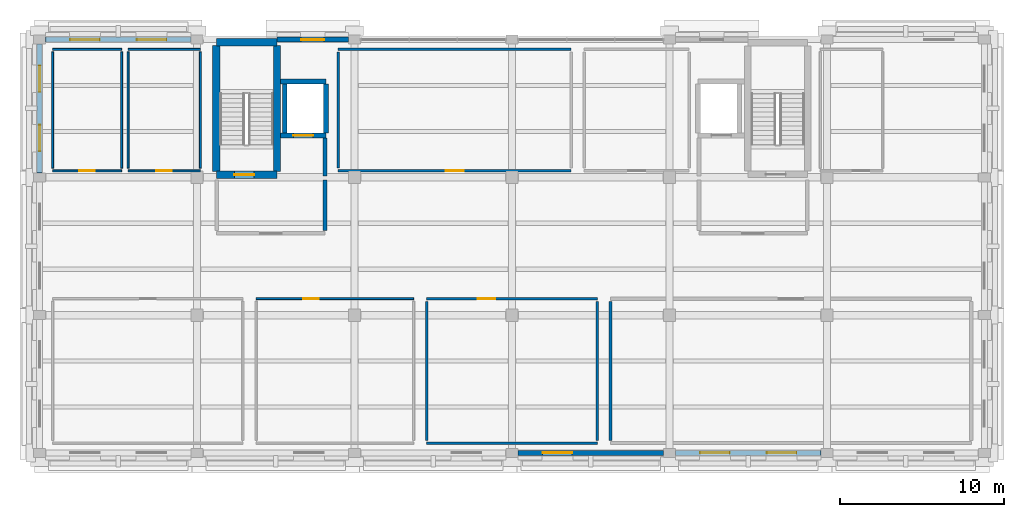
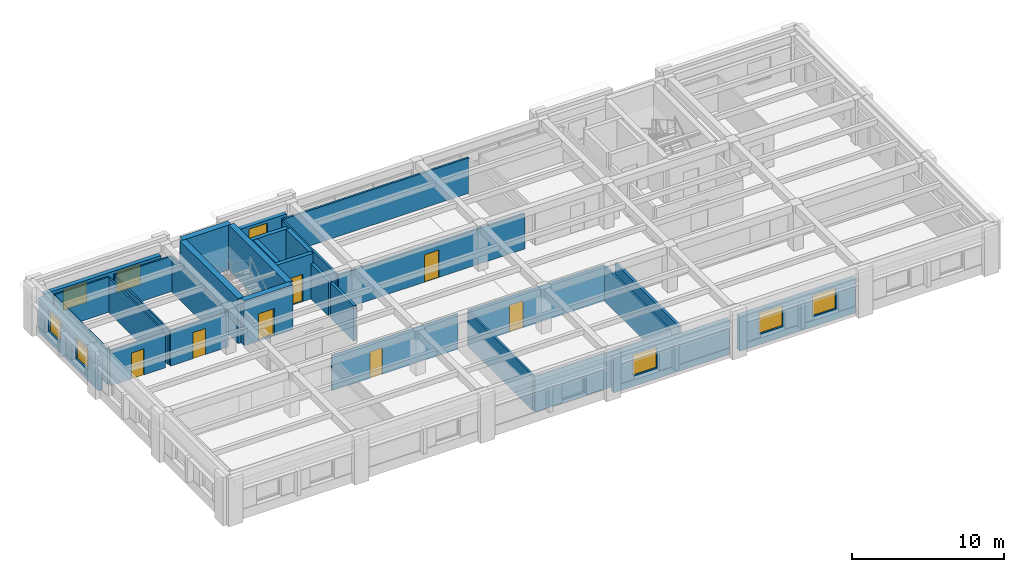
# One storey, part 6 of 12: 32 walls, 8 windows, 7 doors, 15 openings.
"""IFC4 building model written with IfcOpenShell, lengths in metres."""

from ifc_helpers import new_model, si_unit, direction, frame, frame_2d, origin, place, context, subcontext, project, spatial, rectangle, extrude, material, layer, layer_set, type_object, element, fill, save


model = new_model("IFC4")

# Units and contexts
model_context = context("Model", 3, precision=1e-05, world=origin(), true_north=direction((0.0, 1.0)))
body_context = subcontext(model_context, "Body", "Model", "MODEL_VIEW")
ifc_project = project(units=[si_unit("LENGTHUNIT", "METRE"), si_unit("AREAUNIT", "SQUARE_METRE"), si_unit("VOLUMEUNIT", "CUBIC_METRE"), si_unit("PLANEANGLEUNIT", "RADIAN"), si_unit("MASSUNIT", "GRAM", prefix="KILO")], contexts=[model_context])

# Site, building, storey
site_placement = place(None, origin())
site = spatial("IfcSite", under=ifc_project, at=site_placement, CompositionType="ELEMENT")
building_placement = place(site_placement, origin())
building = spatial("IfcBuilding", under=site, at=building_placement, Name="Bempovik Park Faculty of Sciences", CompositionType="ELEMENT")
storey_placement = place(building_placement, frame((0.0, 0.0, 34.5)))
storey = spatial("IfcBuildingStorey", under=building, at=storey_placement, Name="L08", CompositionType="ELEMENT", Elevation=34.5)

# Wall, opening, door
ifc_material_1 = material(Name="Concrete C40/50", Category="concrete")
ifc_layer_1 = layer(ifc_material_1, 0.449951171875)
ifc_layer_set_1 = layer_set([ifc_layer_1], Name="Concrete C40/50")
wall_type_1 = type_object("IfcWallType", Name="W-15 Wall 450mm", PredefinedType="SHEAR", material=ifc_layer_set_1)
wall_1_placement = place(storey_placement, frame((70.77490234375, 111.14990234375, 0.0), z_axis=(0.0, 0.0, 1.0), x_axis=(1.0, 0.0, 0.0)))
wall_1 = element("IfcWall", 1, at=wall_1_placement, inside=storey, type_object=wall_type_1, Name="ST-1 L08 Core Shear Wall South", PredefinedType="SHEAR", context=body_context, shape_type="SweptSolid", body=[
    extrude(rectangle(XDim=3.7001953125, YDim=0.449951171875, at=frame_2d((1.85009765625, 0.0))), origin(), (0.0, 0.0, 1.0), 3.6201171875),
])
opening_1_placement = place(wall_1_placement, frame((1.10009765625, 0.0, 0.0)))
opening_1 = element("IfcOpeningElement", 2, at=opening_1_placement, cuts=wall_1, Name="Opening D-49", PredefinedType="OPENING", context=body_context, shape_type="SweptSolid", body=[
    extrude(rectangle(XDim=1.199951171875, YDim=2.199951171875, at=frame_2d((0.60009765625, 1.10009765625))), frame((0.0, 0.23486328125, 0.0), z_axis=(0.0, -1.0, 0.0), x_axis=(1.0, 0.0, 0.0)), (0.0, 0.0, 1.0), 0.469970703125),
])
ifc_material_2 = material(Name="Painted steel S355", Category="steel")
door_type_1 = type_object("IfcDoorType", Name="D-49 Door 1200x2200", OperationType="NOTDEFINED", PredefinedType="DOOR", material=ifc_material_2)
door_1_placement = place(opening_1_placement, origin())
door_1 = element("IfcDoor", 3, at=door_1_placement, inside=storey, type_object=door_type_1, Name="ST-1 L08 Protected Stair Smoke Door", OperationType="SINGLE_SWING_RIGHT", OverallHeight=2.199951171875, OverallWidth=1.199951171875, PredefinedType="DOOR", context=body_context, shape_type="SweptSolid", body=[
    extrude(rectangle(XDim=1.199951171875, YDim=2.199951171875, at=frame_2d((0.60009765625, 1.10009765625))), frame((0.0, 0.02490234375, 0.0), z_axis=(0.0, -1.0, 0.0), x_axis=(1.0, 0.0, 0.0)), (0.0, 0.0, 1.0), 0.050048828125),
])
fill(opening_1, door_1)

# Walls
for number, where, z_axis, x_axis, name in (
    (4, (70.77490234375, 111.35009765625, 0.0), (0.0, 0.0, 1.0), (0.0, 1.0, 0.0), "ST-1 L08 Core Shear Wall West"),
    (5, (74.47509765625, 111.35009765625, 0.0), (0.0, 0.0, 1.0), (0.0, 1.0, 0.0), "ST-1 L08 Core Shear Wall East"),
):
    element("IfcWall", number, at=place(storey_placement, frame(where, z_axis=z_axis, x_axis=x_axis)), inside=storey, type_object=wall_type_1, Name=name, PredefinedType="SHEAR", context=body_context, shape_type="SweptSolid", body=[
        extrude(rectangle(XDim=7.6748046875, YDim=0.449951171875, at=frame_2d((3.83740234375, 0.0))), origin(), (0.0, 0.0, 1.0), 3.6201171875),
    ])
wall_2_placement = place(storey_placement, frame((70.77490234375, 119.22509765625, 0.0), z_axis=(0.0, 0.0, 1.0), x_axis=(1.0, 0.0, 0.0)))
element("IfcWall", 6, at=wall_2_placement, inside=storey, type_object=wall_type_1, Name="ST-1 L08 Core Shear Wall North", PredefinedType="SHEAR", context=body_context, shape_type="SweptSolid", body=[
    extrude(rectangle(XDim=3.7001953125, YDim=0.449951171875, at=frame_2d((1.85009765625, 0.0))), origin(), (0.0, 0.0, 1.0), 3.6201171875),
])

# Wall, opening, door
ifc_material_3 = material(Name="Gypsum acoustic stud assembly")
ifc_layer_2 = layer(ifc_material_3, 0.1201171875)
ifc_layer_set_2 = layer_set([ifc_layer_2], Name="Gypsum acoustic stud assembly")
wall_type_2 = type_object("IfcWallType", Name="W-17 Wall 120mm", PredefinedType="PARTITIONING", material=ifc_layer_set_2)
wall_3_placement = place(storey_placement, frame((73.199951171875, 103.60009765625, 0.0), z_axis=(0.0, 0.0, 1.0), x_axis=(1.0, 0.0, 0.0)))
wall_3 = element("IfcWall", 7, at=wall_3_placement, inside=storey, type_object=wall_type_2, Name="L08 Hydrology Academic Staff Offices Partition North", PredefinedType="PARTITIONING", context=body_context, shape_type="SweptSolid", body=[
    extrude(rectangle(XDim=9.60009765625, YDim=0.1201171875, at=frame_2d((4.800048828125, 0.0))), origin(), (0.0, 0.0, 1.0), 2.85009765625),
])
opening_2_placement = place(wall_3_placement, frame((2.885009765625, 0.0, 0.0)))
opening_2 = element("IfcOpeningElement", 8, at=opening_2_placement, cuts=wall_3, Name="Opening D-47", PredefinedType="OPENING", context=body_context, shape_type="SweptSolid", body=[
    extrude(rectangle(XDim=0.949951171875, YDim=2.14990234375, at=frame_2d((0.47509765625, 1.074951171875))), frame((0.0, 0.070068359375, 0.0), z_axis=(0.0, -1.0, 0.0), x_axis=(1.0, 0.0, 0.0)), (0.0, 0.0, 1.0), 0.14013671875),
])
ifc_material_4 = material(Name="West African hardwood finish", Category="wood")
door_type_2 = type_object("IfcDoorType", Name="D-47 Door 950x2150", OperationType="NOTDEFINED", PredefinedType="DOOR", material=ifc_material_4)
door_2_placement = place(opening_2_placement, origin())
door_2 = element("IfcDoor", 9, at=door_2_placement, inside=storey, type_object=door_type_2, Name="L08 Hydrology Academic Staff Offices Door", OperationType="SINGLE_SWING_RIGHT", OverallHeight=2.14990234375, OverallWidth=0.949951171875, PredefinedType="DOOR", context=body_context, shape_type="SweptSolid", body=[
    extrude(rectangle(XDim=0.949951171875, YDim=2.14990234375, at=frame_2d((0.47509765625, 1.074951171875))), frame((0.0, 0.02490234375, 0.0), z_axis=(0.0, -1.0, 0.0), x_axis=(1.0, 0.0, 0.0)), (0.0, 0.0, 1.0), 0.050048828125),
])
fill(opening_2, door_2)

wall_4_placement = place(storey_placement, frame((60.800048828125, 111.39990234375, 0.0), z_axis=(0.0, 0.0, 1.0), x_axis=(1.0, 0.0, 0.0)))
wall_4 = element("IfcWall", 10, at=wall_4_placement, inside=storey, type_object=wall_type_2, Name="L08 L08 Male WC Partition South", PredefinedType="PARTITIONING", context=body_context, shape_type="SweptSolid", body=[
    extrude(rectangle(XDim=4.199951171875, YDim=0.1201171875, at=frame_2d((2.10009765625, 0.0))), origin(), (0.0, 0.0, 1.0), 2.85009765625),
])
opening_3_placement = place(wall_4_placement, frame((1.625, 0.0, 0.0)))
opening_3 = element("IfcOpeningElement", 11, at=opening_3_placement, cuts=wall_4, Name="Opening D-56", PredefinedType="OPENING", context=body_context, shape_type="SweptSolid", body=[
    extrude(rectangle(XDim=0.949951171875, YDim=2.10009765625, at=frame_2d((0.47509765625, 1.050048828125))), frame((0.0, 0.070068359375, 0.0), z_axis=(0.0, -1.0, 0.0), x_axis=(1.0, 0.0, 0.0)), (0.0, 0.0, 1.0), 0.14013671875),
])
door_type_3 = type_object("IfcDoorType", Name="D-56 Door 950x2100", OperationType="NOTDEFINED", PredefinedType="DOOR", material=ifc_material_4)
door_3_placement = place(opening_3_placement, origin())
door_3 = element("IfcDoor", 12, at=door_3_placement, inside=storey, type_object=door_type_3, Name="L08 L08 Male WC Door", OperationType="SINGLE_SWING_LEFT", OverallHeight=2.10009765625, OverallWidth=0.949951171875, PredefinedType="DOOR", context=body_context, shape_type="SweptSolid", body=[
    extrude(rectangle(XDim=0.949951171875, YDim=2.10009765625, at=frame_2d((0.47509765625, 1.050048828125))), frame((0.0, 0.02490234375, 0.0), z_axis=(0.0, -1.0, 0.0), x_axis=(1.0, 0.0, 0.0)), (0.0, 0.0, 1.0), 0.050048828125),
])
fill(opening_3, door_3)

# Walls
wall_5_placement = place(storey_placement, frame((60.800048828125, 118.800048828125, 0.0), z_axis=(0.0, 0.0, 1.0), x_axis=(1.0, 0.0, 0.0)))
element("IfcWall", 13, at=wall_5_placement, inside=storey, type_object=wall_type_2, Name="L08 L08 Male WC Partition North", PredefinedType="PARTITIONING", context=body_context, shape_type="SweptSolid", body=[
    extrude(rectangle(XDim=4.199951171875, YDim=0.1201171875, at=frame_2d((2.10009765625, 0.0))), origin(), (0.0, 0.0, 1.0), 2.85009765625),
])
for number, where, z_axis, x_axis, name in (
    (14, (60.800048828125, 111.56005859375, 0.0), (0.0, 0.0, 1.0), (0.0, 1.0, 0.0), "L08 L08 Male WC Partition West"),
    (15, (65.0, 111.56005859375, 0.0), (0.0, 0.0, 1.0), (0.0, 1.0, 0.0), "L08 L08 Male WC Partition East"),
):
    element("IfcWall", number, at=place(storey_placement, frame(where, z_axis=z_axis, x_axis=x_axis)), inside=storey, type_object=wall_type_2, Name=name, PredefinedType="PARTITIONING", context=body_context, shape_type="SweptSolid", body=[
        extrude(rectangle(XDim=7.079833984375, YDim=0.1201171875, at=frame_2d((3.5400390625, 0.0))), origin(), (0.0, 0.0, 1.0), 2.85009765625),
    ])

# Wall, opening, door
wall_6_placement = place(storey_placement, frame((65.39990234375, 111.39990234375, 0.0), z_axis=(0.0, 0.0, 1.0), x_axis=(1.0, 0.0, 0.0)))
wall_6 = element("IfcWall", 16, at=wall_6_placement, inside=storey, type_object=wall_type_2, Name="L08 L08 Female WC Partition South", PredefinedType="PARTITIONING", context=body_context, shape_type="SweptSolid", body=[
    extrude(rectangle(XDim=4.400146484375, YDim=0.1201171875, at=frame_2d((2.2001953125, 0.0))), origin(), (0.0, 0.0, 1.0), 2.85009765625),
])
opening_4_placement = place(wall_6_placement, frame((1.72509765625, 0.0, 0.0)))
opening_4 = element("IfcOpeningElement", 17, at=opening_4_placement, cuts=wall_6, Name="Opening D-56", PredefinedType="OPENING", context=body_context, shape_type="SweptSolid", body=[
    extrude(rectangle(XDim=0.949951171875, YDim=2.10009765625, at=frame_2d((0.47509765625, 1.050048828125))), frame((0.0, 0.070068359375, 0.0), z_axis=(0.0, -1.0, 0.0), x_axis=(1.0, 0.0, 0.0)), (0.0, 0.0, 1.0), 0.14013671875),
])
door_4_placement = place(opening_4_placement, origin())
door_4 = element("IfcDoor", 18, at=door_4_placement, inside=storey, type_object=door_type_3, Name="L08 L08 Female WC Door", OperationType="SINGLE_SWING_RIGHT", OverallHeight=2.10009765625, OverallWidth=0.949951171875, PredefinedType="DOOR", context=body_context, shape_type="SweptSolid", body=[
    extrude(rectangle(XDim=0.949951171875, YDim=2.10009765625, at=frame_2d((0.47509765625, 1.050048828125))), frame((0.0, 0.02490234375, 0.0), z_axis=(0.0, -1.0, 0.0), x_axis=(1.0, 0.0, 0.0)), (0.0, 0.0, 1.0), 0.050048828125),
])
fill(opening_4, door_4)

# Walls
wall_7_placement = place(storey_placement, frame((65.39990234375, 118.800048828125, 0.0), z_axis=(0.0, 0.0, 1.0), x_axis=(1.0, 0.0, 0.0)))
element("IfcWall", 19, at=wall_7_placement, inside=storey, type_object=wall_type_2, Name="L08 L08 Female WC Partition North", PredefinedType="PARTITIONING", context=body_context, shape_type="SweptSolid", body=[
    extrude(rectangle(XDim=4.400146484375, YDim=0.1201171875, at=frame_2d((2.2001953125, 0.0))), origin(), (0.0, 0.0, 1.0), 2.85009765625),
])
for number, where, z_axis, x_axis, name in (
    (20, (65.39990234375, 111.56005859375, 0.0), (0.0, 0.0, 1.0), (0.0, 1.0, 0.0), "L08 L08 Female WC Partition West"),
    (21, (69.800048828125, 111.56005859375, 0.0), (0.0, 0.0, 1.0), (0.0, 1.0, 0.0), "L08 L08 Female WC Partition East"),
):
    element("IfcWall", number, at=place(storey_placement, frame(where, z_axis=z_axis, x_axis=x_axis)), inside=storey, type_object=wall_type_2, Name=name, PredefinedType="PARTITIONING", context=body_context, shape_type="SweptSolid", body=[
        extrude(rectangle(XDim=7.079833984375, YDim=0.1201171875, at=frame_2d((3.5400390625, 0.0))), origin(), (0.0, 0.0, 1.0), 2.85009765625),
    ])

# Wall, opening, door
ifc_layer_3 = layer(ifc_material_1, 0.300048828125)
ifc_layer_set_3 = layer_set([ifc_layer_3], Name="Concrete C40/50")
wall_type_3 = type_object("IfcWallType", Name="W-31 Wall 300mm", PredefinedType="SHEAR", material=ifc_layer_set_3)
wall_8_placement = place(storey_placement, frame((74.699951171875, 113.550048828125, 0.0), z_axis=(0.0, 0.0, 1.0), x_axis=(1.0, 0.0, 0.0)))
wall_8 = element("IfcWall", 22, at=wall_8_placement, inside=storey, type_object=wall_type_3, Name="Lift LF-1 L08 Shaft Wall South", PredefinedType="SHEAR", context=body_context, shape_type="SweptSolid", body=[
    extrude(rectangle(XDim=2.75, YDim=0.300048828125, at=frame_2d((1.375, 0.0))), origin(), (0.0, 0.0, 1.0), 3.6201171875),
])
opening_5_placement = place(wall_8_placement, frame((0.77490234375, 0.0, 0.0)))
opening_5 = element("IfcOpeningElement", 23, at=opening_5_placement, cuts=wall_8, Name="Opening LD-01", PredefinedType="OPENING", context=body_context, shape_type="SweptSolid", body=[
    extrude(rectangle(XDim=1.199951171875, YDim=2.199951171875, at=frame_2d((0.60009765625, 1.10009765625))), frame((0.0, 0.16015625, 0.0), z_axis=(0.0, -1.0, 0.0), x_axis=(1.0, 0.0, 0.0)), (0.0, 0.0, 1.0), 0.320068359375),
])
door_type_4 = type_object("IfcDoorType", Name="LD-01 Door 1200x2200", OperationType="NOTDEFINED", PredefinedType="DOOR", material=ifc_material_2)
door_5_placement = place(opening_5_placement, origin())
door_5 = element("IfcDoor", 24, at=door_5_placement, inside=storey, type_object=door_type_4, Name="Lift LF-1 L08 Sliding Landing Door", OperationType="SLIDING_TO_LEFT", OverallHeight=2.199951171875, OverallWidth=1.199951171875, PredefinedType="DOOR", context=body_context, shape_type="SweptSolid", body=[
    extrude(rectangle(XDim=1.199951171875, YDim=2.199951171875, at=frame_2d((0.60009765625, 1.10009765625))), frame((0.0, 0.02490234375, 0.0), z_axis=(0.0, -1.0, 0.0), x_axis=(1.0, 0.0, 0.0)), (0.0, 0.0, 1.0), 0.050048828125),
])
fill(opening_5, door_5)

# Walls
wall_9_placement = place(storey_placement, frame((74.699951171875, 116.85009765625, 0.0), z_axis=(0.0, 0.0, 1.0), x_axis=(1.0, 0.0, 0.0)))
element("IfcWall", 25, at=wall_9_placement, inside=storey, type_object=wall_type_3, Name="Lift LF-1 L08 Shaft Wall North", PredefinedType="SHEAR", context=body_context, shape_type="SweptSolid", body=[
    extrude(rectangle(XDim=2.75, YDim=0.300048828125, at=frame_2d((1.375, 0.0))), origin(), (0.0, 0.0, 1.0), 3.6201171875),
])
for number, where, z_axis, x_axis, name in (
    (26, (74.949951171875, 113.699951171875, 0.0), (0.0, 0.0, 1.0), (0.0, 1.0, 0.0), "Lift LF-1 L08 Shaft Wall West"),
    (27, (77.449951171875, 113.699951171875, 0.0), (0.0, 0.0, 1.0), (0.0, 1.0, 0.0), "Lift LF-1 L08 Shaft Wall East"),
):
    element("IfcWall", number, at=place(storey_placement, frame(where, z_axis=z_axis, x_axis=x_axis)), inside=storey, type_object=wall_type_3, Name=name, PredefinedType="SHEAR", context=body_context, shape_type="SweptSolid", body=[
        extrude(rectangle(XDim=3.0, YDim=0.300048828125, at=frame_2d((1.5, 0.0))), origin(), (0.0, 0.0, 1.0), 3.6201171875),
    ])
ifc_material_5 = material(Name="Concrete C35/45", Category="concrete")
ifc_layer_4 = layer(ifc_material_5, 0.219970703125)
ifc_layer_set_4 = layer_set([ifc_layer_4], Name="Concrete C35/45")
wall_type_4 = type_object("IfcWallType", Name="W-38 Wall 220mm", PredefinedType="PARTITIONING", material=ifc_layer_set_4)
wall_10_placement = place(storey_placement, frame((77.39990234375, 111.080078125, 0.0), z_axis=(0.0, 0.0, 1.0), x_axis=(0.0, 1.0, 0.0)))
element("IfcWall", 28, at=wall_10_placement, inside=storey, type_object=wall_type_4, Name="L08 Firefighting Lobby West Lift Link Wall", PredefinedType="PARTITIONING", context=body_context, shape_type="SweptSolid", body=[
    extrude(rectangle(XDim=2.31982421875, YDim=0.219970703125, at=frame_2d((1.159912109375, 0.0))), origin(), (0.0, 0.0, 1.0), 2.85009765625),
])
wall_11_placement = place(storey_placement, frame((77.39990234375, 107.760009765625, 0.0), z_axis=(0.0, 0.0, 1.0), x_axis=(0.0, 1.0, 0.0)))
element("IfcWall", 29, at=wall_11_placement, inside=storey, type_object=wall_type_4, Name="L08 Firefighting Lift Lobby West Partition East", PredefinedType="PARTITIONING", context=body_context, shape_type="SweptSolid", body=[
    extrude(rectangle(XDim=3.080078125, YDim=0.219970703125, at=frame_2d((1.5400390625, 0.0))), origin(), (0.0, 0.0, 1.0), 2.85009765625),
])
ifc_layer_5 = layer(ifc_material_3, 0.14990234375)
ifc_layer_set_5 = layer_set([ifc_layer_5], Name="Gypsum acoustic stud assembly")
wall_type_5 = type_object("IfcWallType", Name="W-42 Wall 150mm", PredefinedType="PARTITIONING", material=ifc_layer_set_5)
wall_12_placement = place(storey_placement, frame((83.60009765625, 94.800048828125, 0.0), z_axis=(0.0, 0.0, 1.0), x_axis=(1.0, 0.0, 0.0)))
element("IfcWall", 30, at=wall_12_placement, inside=storey, type_object=wall_type_5, Name="L08 West African Seismology Seminar Room Partition South", PredefinedType="PARTITIONING", context=body_context, shape_type="SweptSolid", body=[
    extrude(rectangle(XDim=10.39990234375, YDim=0.14990234375, at=frame_2d((5.199951171875, 0.0))), origin(), (0.0, 0.0, 1.0), 2.85009765625),
])

# Wall, opening, door
wall_13_placement = place(storey_placement, frame((83.60009765625, 103.60009765625, 0.0), z_axis=(0.0, 0.0, 1.0), x_axis=(1.0, 0.0, 0.0)))
wall_13 = element("IfcWall", 31, at=wall_13_placement, inside=storey, type_object=wall_type_5, Name="L08 West African Seismology Seminar Room Partition North", PredefinedType="PARTITIONING", context=body_context, shape_type="SweptSolid", body=[
    extrude(rectangle(XDim=10.39990234375, YDim=0.14990234375, at=frame_2d((5.199951171875, 0.0))), origin(), (0.0, 0.0, 1.0), 2.85009765625),
])
opening_6_placement = place(wall_13_placement, frame((3.114990234375, 0.0, 0.0)))
opening_6 = element("IfcOpeningElement", 32, at=opening_6_placement, cuts=wall_13, Name="Opening D-16", PredefinedType="OPENING", context=body_context, shape_type="SweptSolid", body=[
    extrude(rectangle(XDim=1.050048828125, YDim=2.199951171875, at=frame_2d((0.52490234375, 1.10009765625))), frame((0.0, 0.0849609375, 0.0), z_axis=(0.0, -1.0, 0.0), x_axis=(1.0, 0.0, 0.0)), (0.0, 0.0, 1.0), 0.169921875),
])
door_type_5 = type_object("IfcDoorType", Name="D-16 Door 1050x2200", OperationType="NOTDEFINED", PredefinedType="DOOR", material=ifc_material_4)
door_6_placement = place(opening_6_placement, origin())
door_6 = element("IfcDoor", 33, at=door_6_placement, inside=storey, type_object=door_type_5, Name="L08 West African Seismology Seminar Room Door", OperationType="SINGLE_SWING_LEFT", OverallHeight=2.199951171875, OverallWidth=1.050048828125, PredefinedType="DOOR", context=body_context, shape_type="SweptSolid", body=[
    extrude(rectangle(XDim=1.050048828125, YDim=2.199951171875, at=frame_2d((0.52490234375, 1.10009765625))), frame((0.0, 0.02490234375, 0.0), z_axis=(0.0, -1.0, 0.0), x_axis=(1.0, 0.0, 0.0)), (0.0, 0.0, 1.0), 0.050048828125),
])
fill(opening_6, door_6)

# Walls
for number, where, z_axis, x_axis, name in (
    (34, (83.60009765625, 94.9599609375, 0.0), (0.0, 0.0, 1.0), (0.0, 1.0, 0.0), "L08 West African Seismology Seminar Room Partition West"),
    (35, (94.0, 94.9599609375, 0.0), (0.0, 0.0, 1.0), (0.0, 1.0, 0.0), "L08 West African Seismology Seminar Room Partition East"),
):
    element("IfcWall", number, at=place(storey_placement, frame(where, z_axis=z_axis, x_axis=x_axis)), inside=storey, type_object=wall_type_5, Name=name, PredefinedType="PARTITIONING", context=body_context, shape_type="SweptSolid", body=[
        extrude(rectangle(XDim=8.47998046875, YDim=0.14990234375, at=frame_2d((4.239990234375, 0.0))), origin(), (0.0, 0.0, 1.0), 2.85009765625),
    ])

# Wall, opening, door
wall_14_placement = place(storey_placement, frame((78.199951171875, 111.39990234375, 0.0), z_axis=(0.0, 0.0, 1.0), x_axis=(1.0, 0.0, 0.0)))
wall_14 = element("IfcWall", 36, at=wall_14_placement, inside=storey, type_object=wall_type_5, Name="L08 Seismometer Calibration Workshop Partition South", PredefinedType="PARTITIONING", context=body_context, shape_type="SweptSolid", body=[
    extrude(rectangle(XDim=14.199951171875, YDim=0.14990234375, at=frame_2d((7.10009765625, 0.0))), origin(), (0.0, 0.0, 1.0), 2.85009765625),
])
opening_7_placement = place(wall_14_placement, frame((6.550048828125, 0.0, 0.0)))
opening_7 = element("IfcOpeningElement", 37, at=opening_7_placement, cuts=wall_14, Name="Opening D-65", PredefinedType="OPENING", context=body_context, shape_type="SweptSolid", body=[
    extrude(rectangle(XDim=1.10009765625, YDim=2.199951171875, at=frame_2d((0.550048828125, 1.10009765625))), frame((0.0, 0.0849609375, 0.0), z_axis=(0.0, -1.0, 0.0), x_axis=(1.0, 0.0, 0.0)), (0.0, 0.0, 1.0), 0.169921875),
])
door_type_6 = type_object("IfcDoorType", Name="D-65 Door 1100x2200", OperationType="NOTDEFINED", PredefinedType="DOOR", material=ifc_material_4)
door_7_placement = place(opening_7_placement, origin())
door_7 = element("IfcDoor", 38, at=door_7_placement, inside=storey, type_object=door_type_6, Name="L08 Seismometer Calibration Workshop Door", OperationType="SINGLE_SWING_LEFT", OverallHeight=2.199951171875, OverallWidth=1.10009765625, PredefinedType="DOOR", context=body_context, shape_type="SweptSolid", body=[
    extrude(rectangle(XDim=1.10009765625, YDim=2.199951171875, at=frame_2d((0.550048828125, 1.10009765625))), frame((0.0, 0.02490234375, 0.0), z_axis=(0.0, -1.0, 0.0), x_axis=(1.0, 0.0, 0.0)), (0.0, 0.0, 1.0), 0.050048828125),
])
fill(opening_7, door_7)

# Walls
wall_15_placement = place(storey_placement, frame((78.199951171875, 118.800048828125, 0.0), z_axis=(0.0, 0.0, 1.0), x_axis=(1.0, 0.0, 0.0)))
element("IfcWall", 39, at=wall_15_placement, inside=storey, type_object=wall_type_5, Name="L08 Seismometer Calibration Workshop Partition North", PredefinedType="PARTITIONING", context=body_context, shape_type="SweptSolid", body=[
    extrude(rectangle(XDim=14.199951171875, YDim=0.14990234375, at=frame_2d((7.10009765625, 0.0))), origin(), (0.0, 0.0, 1.0), 2.85009765625),
])
wall_16_placement = place(storey_placement, frame((78.199951171875, 111.56005859375, 0.0), z_axis=(0.0, 0.0, 1.0), x_axis=(0.0, 1.0, 0.0)))
element("IfcWall", 40, at=wall_16_placement, inside=storey, type_object=wall_type_5, Name="L08 Seismometer Calibration Workshop Partition West", PredefinedType="PARTITIONING", context=body_context, shape_type="SweptSolid", body=[
    extrude(rectangle(XDim=7.079833984375, YDim=0.14990234375, at=frame_2d((3.5400390625, 0.0))), origin(), (0.0, 0.0, 1.0), 2.85009765625),
])

# Wall, openings, windows
ifc_material_6 = material(Name="Precast concrete C40/50", Category="concrete")
ifc_layer_6 = layer(ifc_material_6, 0.320068359375)
ifc_layer_set_6 = layer_set([ifc_layer_6], Name="Precast concrete C40/50")
wall_type_6 = type_object("IfcWallType", Name="W-56 Wall 320mm", PredefinedType="SOLIDWALL", material=ifc_layer_set_6)
wall_17_placement = place(storey_placement, frame((60.376953125, 119.39990234375, 0.0), z_axis=(0.0, 0.0, 1.0), x_axis=(1.0, 0.0, 0.0)))
wall_17 = element("IfcWall", 41, at=wall_17_placement, inside=storey, type_object=wall_type_6, Name="L08 Classical Precast Facade Wall EW-L08-10812", PredefinedType="SOLIDWALL", context=body_context, shape_type="SweptSolid", body=[
    extrude(rectangle(XDim=8.845947265625, YDim=0.320068359375, at=frame_2d((4.4228515625, 0.0))), origin(), (0.0, 0.0, 1.0), 2.780029296875),
])
opening_8_placement = place(wall_17_placement, frame((1.48828125, 0.0, 0.85009765625)))
opening_8 = element("IfcOpeningElement", 42, at=opening_8_placement, cuts=wall_17, Name="Opening WN-94", PredefinedType="OPENING", context=body_context, shape_type="SweptSolid", body=[
    extrude(rectangle(XDim=1.800048828125, YDim=1.699951171875, at=frame_2d((0.89990234375, 0.85009765625))), frame((0.0, 0.169921875, 0.0), z_axis=(0.0, -1.0, 0.0), x_axis=(1.0, 0.0, 0.0)), (0.0, 0.0, 1.0), 0.340087890625),
])
opening_9_placement = place(wall_17_placement, frame((5.5576171875, 0.0, 0.85009765625)))
opening_9 = element("IfcOpeningElement", 43, at=opening_9_placement, cuts=wall_17, Name="Opening WN-94", PredefinedType="OPENING", context=body_context, shape_type="SweptSolid", body=[
    extrude(rectangle(XDim=1.800048828125, YDim=1.699951171875, at=frame_2d((0.89990234375, 0.85009765625))), frame((0.0, 0.169921875, 0.0), z_axis=(0.0, -1.0, 0.0), x_axis=(1.0, 0.0, 0.0)), (0.0, 0.0, 1.0), 0.340087890625),
])
ifc_material_7 = material(Name="Tempered laminated low-E glass", Category="glass")
window_type_1 = type_object("IfcWindowType", Name="WN-94 Window 1800x1700", PartitioningType="SINGLE_PANEL", PredefinedType="WINDOW", material=ifc_material_7)
window_1_placement = place(opening_8_placement, origin())
window_1 = element("IfcWindow", 44, at=window_1_placement, inside=storey, type_object=window_type_1, Name="L08 Window EW-L08-10812-1", OverallHeight=1.699951171875, OverallWidth=1.800048828125, PartitioningType="SINGLE_PANEL", PredefinedType="WINDOW", context=body_context, shape_type="SweptSolid", body=[
    extrude(rectangle(XDim=1.800048828125, YDim=1.699951171875, at=frame_2d((0.89990234375, 0.85009765625))), frame((0.0, 0.030029296875, 0.0), z_axis=(0.0, -1.0, 0.0), x_axis=(1.0, 0.0, 0.0)), (0.0, 0.0, 1.0), 0.06005859375),
])
fill(opening_8, window_1)
window_2_placement = place(opening_9_placement, origin())
window_2 = element("IfcWindow", 45, at=window_2_placement, inside=storey, type_object=window_type_1, Name="L08 Window EW-L08-10812-2", OverallHeight=1.699951171875, OverallWidth=1.800048828125, PartitioningType="SINGLE_PANEL", PredefinedType="WINDOW", context=body_context, shape_type="SweptSolid", body=[
    extrude(rectangle(XDim=1.800048828125, YDim=1.699951171875, at=frame_2d((0.89990234375, 0.85009765625))), frame((0.0, 0.030029296875, 0.0), z_axis=(0.0, -1.0, 0.0), x_axis=(1.0, 0.0, 0.0)), (0.0, 0.0, 1.0), 0.06005859375),
])
fill(opening_9, window_2)

# Wall, opening, window
wall_18_placement = place(storey_placement, frame((74.47607421875, 119.39990234375, 0.0), z_axis=(0.0, 0.0, 1.0), x_axis=(1.0, 0.0, 0.0)))
wall_18 = element("IfcWall", 46, at=wall_18_placement, inside=storey, type_object=wall_type_6, Name="L08 Classical Precast Facade Wall EW-L08-10826", PredefinedType="SOLIDWALL", context=body_context, shape_type="SweptSolid", body=[
    extrude(rectangle(XDim=4.346923828125, YDim=0.320068359375, at=frame_2d((2.17333984375, 0.0))), origin(), (0.0, 0.0, 1.0), 2.780029296875),
])
opening_10_placement = place(wall_18_placement, frame((1.473388671875, 0.0, 0.89990234375)))
opening_10 = element("IfcOpeningElement", 47, at=opening_10_placement, cuts=wall_18, Name="Opening WN-84", PredefinedType="OPENING", context=body_context, shape_type="SweptSolid", body=[
    extrude(rectangle(XDim=1.39990234375, YDim=1.64990234375, at=frame_2d((0.699951171875, 0.824951171875))), frame((0.0, 0.169921875, 0.0), z_axis=(0.0, -1.0, 0.0), x_axis=(1.0, 0.0, 0.0)), (0.0, 0.0, 1.0), 0.340087890625),
])
window_type_2 = type_object("IfcWindowType", Name="WN-84 Window 1400x1650", PartitioningType="SINGLE_PANEL", PredefinedType="WINDOW", material=ifc_material_7)
window_3_placement = place(opening_10_placement, origin())
window_3 = element("IfcWindow", 48, at=window_3_placement, inside=storey, type_object=window_type_2, Name="L08 Stairwell Classical Lancet Window EW-L08-10826", OverallHeight=1.64990234375, OverallWidth=1.39990234375, PartitioningType="SINGLE_PANEL", PredefinedType="WINDOW", context=body_context, shape_type="SweptSolid", body=[
    extrude(rectangle(XDim=1.39990234375, YDim=1.64990234375, at=frame_2d((0.699951171875, 0.824951171875))), frame((0.0, 0.030029296875, 0.0), z_axis=(0.0, -1.0, 0.0), x_axis=(1.0, 0.0, 0.0)), (0.0, 0.0, 1.0), 0.06005859375),
])
fill(opening_10, window_3)

# Wall, openings, windows
wall_19_placement = place(storey_placement, frame((60.0, 111.277099609375, 0.0), z_axis=(0.0, 0.0, 1.0), x_axis=(0.0, 1.0, 0.0)))
wall_19 = element("IfcWall", 49, at=wall_19_placement, inside=storey, type_object=wall_type_6, Name="L08 Classical Precast Facade Wall EW-L08-10915", PredefinedType="SOLIDWALL", context=body_context, shape_type="SweptSolid", body=[
    extrude(rectangle(XDim=7.845947265625, YDim=0.320068359375, at=frame_2d((3.9228515625, 0.0))), origin(), (0.0, 0.0, 1.0), 2.780029296875),
])
opening_11_placement = place(wall_19_placement, frame((1.318359375, 0.0, 0.85009765625)))
opening_11 = element("IfcOpeningElement", 50, at=opening_11_placement, cuts=wall_19, Name="Opening WN-88", PredefinedType="OPENING", context=body_context, shape_type="SweptSolid", body=[
    extrude(rectangle(XDim=1.60009765625, YDim=1.699951171875, at=frame_2d((0.800048828125, 0.85009765625))), frame((0.0, 0.169921875, 0.0), z_axis=(0.0, -1.0, 0.0), x_axis=(1.0, 0.0, 0.0)), (0.0, 0.0, 1.0), 0.340087890625),
])
opening_12_placement = place(wall_19_placement, frame((4.927490234375, 0.0, 0.85009765625)))
opening_12 = element("IfcOpeningElement", 51, at=opening_12_placement, cuts=wall_19, Name="Opening WN-88", PredefinedType="OPENING", context=body_context, shape_type="SweptSolid", body=[
    extrude(rectangle(XDim=1.60009765625, YDim=1.699951171875, at=frame_2d((0.800048828125, 0.85009765625))), frame((0.0, 0.169921875, 0.0), z_axis=(0.0, -1.0, 0.0), x_axis=(1.0, 0.0, 0.0)), (0.0, 0.0, 1.0), 0.340087890625),
])
window_type_3 = type_object("IfcWindowType", Name="WN-88 Window 1600x1700", PartitioningType="SINGLE_PANEL", PredefinedType="WINDOW", material=ifc_material_7)
window_4_placement = place(opening_11_placement, origin())
window_4 = element("IfcWindow", 52, at=window_4_placement, inside=storey, type_object=window_type_3, Name="L08 Window EW-L08-10915-1", OverallHeight=1.699951171875, OverallWidth=1.60009765625, PartitioningType="SINGLE_PANEL", PredefinedType="WINDOW", context=body_context, shape_type="SweptSolid", body=[
    extrude(rectangle(XDim=1.60009765625, YDim=1.699951171875, at=frame_2d((0.800048828125, 0.85009765625))), frame((0.0, 0.030029296875, 0.0), z_axis=(0.0, -1.0, 0.0), x_axis=(1.0, 0.0, 0.0)), (0.0, 0.0, 1.0), 0.06005859375),
])
fill(opening_11, window_4)
window_5_placement = place(opening_12_placement, origin())
window_5 = element("IfcWindow", 53, at=window_5_placement, inside=storey, type_object=window_type_3, Name="L08 Window EW-L08-10915-2", OverallHeight=1.699951171875, OverallWidth=1.60009765625, PartitioningType="SINGLE_PANEL", PredefinedType="WINDOW", context=body_context, shape_type="SweptSolid", body=[
    extrude(rectangle(XDim=1.60009765625, YDim=1.699951171875, at=frame_2d((0.800048828125, 0.85009765625))), frame((0.0, 0.030029296875, 0.0), z_axis=(0.0, -1.0, 0.0), x_axis=(1.0, 0.0, 0.0)), (0.0, 0.0, 1.0), 0.06005859375),
])
fill(opening_12, window_5)

# Wall, opening, window
wall_20_placement = place(storey_placement, frame((89.177001953125, 94.199951171875, 0.0), z_axis=(0.0, 0.0, 1.0), x_axis=(1.0, 0.0, 0.0)))
wall_20 = element("IfcWall", 54, at=wall_20_placement, inside=storey, type_object=wall_type_6, Name="L08 Classical Precast Facade Wall EW-L08-10964", PredefinedType="SOLIDWALL", context=body_context, shape_type="SweptSolid", body=[
    extrude(rectangle(XDim=8.845947265625, YDim=0.320068359375, at=frame_2d((4.4228515625, 0.0))), origin(), (0.0, 0.0, 1.0), 2.780029296875),
])
opening_13_placement = place(wall_20_placement, frame((1.48828125, 0.0, 0.85009765625)))
opening_13 = element("IfcOpeningElement", 55, at=opening_13_placement, cuts=wall_20, Name="Opening WN-94", PredefinedType="OPENING", context=body_context, shape_type="SweptSolid", body=[
    extrude(rectangle(XDim=1.800048828125, YDim=1.699951171875, at=frame_2d((0.89990234375, 0.85009765625))), frame((0.0, 0.169921875, 0.0), z_axis=(0.0, -1.0, 0.0), x_axis=(1.0, 0.0, 0.0)), (0.0, 0.0, 1.0), 0.340087890625),
])
window_6_placement = place(opening_13_placement, origin())
window_6 = element("IfcWindow", 56, at=window_6_placement, inside=storey, type_object=window_type_1, Name="L08 Window EW-L08-10964-1", OverallHeight=1.699951171875, OverallWidth=1.800048828125, PartitioningType="SINGLE_PANEL", PredefinedType="WINDOW", context=body_context, shape_type="SweptSolid", body=[
    extrude(rectangle(XDim=1.800048828125, YDim=1.699951171875, at=frame_2d((0.89990234375, 0.85009765625))), frame((0.0, 0.030029296875, 0.0), z_axis=(0.0, -1.0, 0.0), x_axis=(1.0, 0.0, 0.0)), (0.0, 0.0, 1.0), 0.06005859375),
])
fill(opening_13, window_6)

# Wall, openings, windows
wall_21_placement = place(storey_placement, frame((98.777099609375, 94.199951171875, 0.0), z_axis=(0.0, 0.0, 1.0), x_axis=(1.0, 0.0, 0.0)))
wall_21 = element("IfcWall", 57, at=wall_21_placement, inside=storey, type_object=wall_type_6, Name="L08 Classical Precast Facade Wall EW-L08-10975", PredefinedType="SOLIDWALL", context=body_context, shape_type="SweptSolid", body=[
    extrude(rectangle(XDim=8.845947265625, YDim=0.320068359375, at=frame_2d((4.4228515625, 0.0))), origin(), (0.0, 0.0, 1.0), 2.780029296875),
])
opening_14_placement = place(wall_21_placement, frame((1.48828125, 0.0, 0.85009765625)))
opening_14 = element("IfcOpeningElement", 58, at=opening_14_placement, cuts=wall_21, Name="Opening WN-94", PredefinedType="OPENING", context=body_context, shape_type="SweptSolid", body=[
    extrude(rectangle(XDim=1.800048828125, YDim=1.699951171875, at=frame_2d((0.89990234375, 0.85009765625))), frame((0.0, 0.169921875, 0.0), z_axis=(0.0, -1.0, 0.0), x_axis=(1.0, 0.0, 0.0)), (0.0, 0.0, 1.0), 0.340087890625),
])
opening_15_placement = place(wall_21_placement, frame((5.5576171875, 0.0, 0.85009765625)))
opening_15 = element("IfcOpeningElement", 59, at=opening_15_placement, cuts=wall_21, Name="Opening WN-94", PredefinedType="OPENING", context=body_context, shape_type="SweptSolid", body=[
    extrude(rectangle(XDim=1.800048828125, YDim=1.699951171875, at=frame_2d((0.89990234375, 0.85009765625))), frame((0.0, 0.169921875, 0.0), z_axis=(0.0, -1.0, 0.0), x_axis=(1.0, 0.0, 0.0)), (0.0, 0.0, 1.0), 0.340087890625),
])
window_7_placement = place(opening_14_placement, origin())
window_7 = element("IfcWindow", 60, at=window_7_placement, inside=storey, type_object=window_type_1, Name="L08 Window EW-L08-10975-1", OverallHeight=1.699951171875, OverallWidth=1.800048828125, PartitioningType="SINGLE_PANEL", PredefinedType="WINDOW", context=body_context, shape_type="SweptSolid", body=[
    extrude(rectangle(XDim=1.800048828125, YDim=1.699951171875, at=frame_2d((0.89990234375, 0.85009765625))), frame((0.0, 0.030029296875, 0.0), z_axis=(0.0, -1.0, 0.0), x_axis=(1.0, 0.0, 0.0)), (0.0, 0.0, 1.0), 0.06005859375),
])
fill(opening_14, window_7)
window_8_placement = place(opening_15_placement, origin())
window_8 = element("IfcWindow", 61, at=window_8_placement, inside=storey, type_object=window_type_1, Name="L08 Window EW-L08-10975-2", OverallHeight=1.699951171875, OverallWidth=1.800048828125, PartitioningType="SINGLE_PANEL", PredefinedType="WINDOW", context=body_context, shape_type="SweptSolid", body=[
    extrude(rectangle(XDim=1.800048828125, YDim=1.699951171875, at=frame_2d((0.89990234375, 0.85009765625))), frame((0.0, 0.030029296875, 0.0), z_axis=(0.0, -1.0, 0.0), x_axis=(1.0, 0.0, 0.0)), (0.0, 0.0, 1.0), 0.06005859375),
])
fill(opening_15, window_8)

# Wall
ifc_layer_7 = layer(ifc_material_5, 0.199951171875)
ifc_layer_set_7 = layer_set([ifc_layer_7], Name="Concrete C35/45")
wall_type_7 = type_object("IfcWallType", Name="W-59 Wall 200mm", PredefinedType="PARTITIONING", material=ifc_layer_set_7)
wall_22_placement = place(storey_placement, frame((94.800048828125, 94.9599609375, 0.0), z_axis=(0.0, 0.0, 1.0), x_axis=(0.0, 1.0, 0.0)))
element("IfcWall", 62, at=wall_22_placement, inside=storey, type_object=wall_type_7, Name="L08 Remote Sensing and GIS Research Laboratory Partition West", PredefinedType="PARTITIONING", context=body_context, shape_type="SweptSolid", body=[
    extrude(rectangle(XDim=8.47998046875, YDim=0.199951171875, at=frame_2d((4.239990234375, 0.0))), origin(), (0.0, 0.0, 1.0), 2.85009765625),
])

save(model, "model.ifc")
